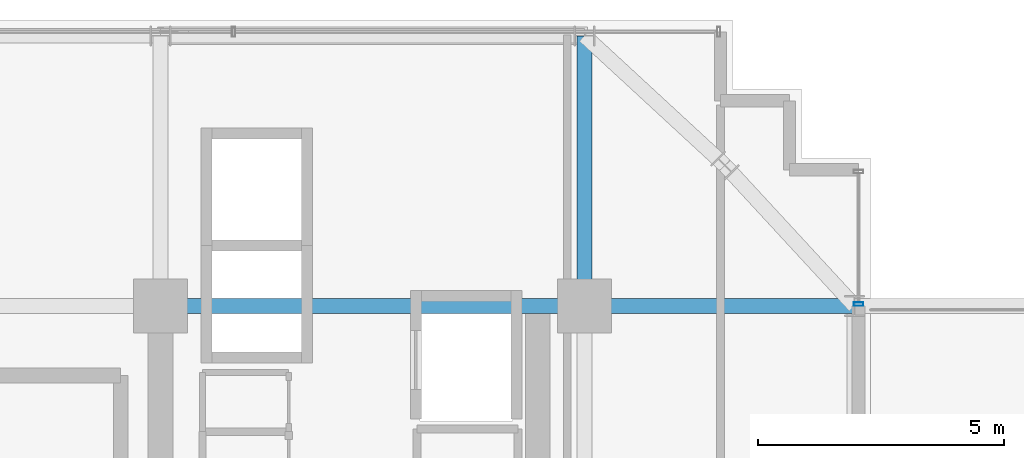
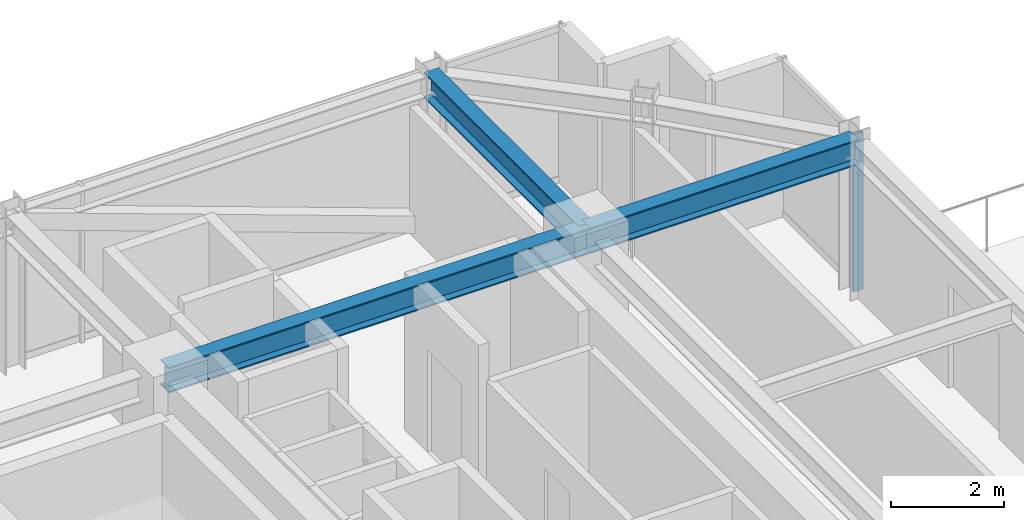
# One storey, part 27 of 38: 3 beams, 1 member, 1 element without a shape of its own.
"""IFC4 building model written with IfcOpenShell, lengths in metres."""

from ifc_helpers import new_model, si_unit, direction, frame, origin, origin_2d, place, context, subcontext, project, spatial, hollow_rectangle, i_section, extrude, source, transform, mapped, material, material_profile, profile_set, type_object, element, aggregate, save


model = new_model("IFC4")

# Units and contexts
model_context = context("Model", 3, precision=1e-05, world=origin(), true_north=direction((0.0, 1.0)))
body_context = subcontext(model_context, "Body", "Model", "MODEL_VIEW")
ifc_project = project(units=[si_unit("LENGTHUNIT", "METRE"), si_unit("AREAUNIT", "SQUARE_METRE"), si_unit("VOLUMEUNIT", "CUBIC_METRE"), si_unit("PLANEANGLEUNIT", "RADIAN"), si_unit("MASSUNIT", "GRAM", prefix="KILO")], contexts=[model_context])

# Site, building, storey
site_placement = place(None, origin())
site = spatial("IfcSite", under=ifc_project, at=site_placement, CompositionType="ELEMENT")
building_placement = place(site_placement, origin())
building = spatial("IfcBuilding", under=site, at=building_placement, Name="Nahalor Promenade Grand Hotel", CompositionType="ELEMENT")
storey_placement = place(building_placement, frame((0.0, 0.0, 178.199951171875)))
storey = spatial("IfcBuildingStorey", under=building, at=storey_placement, Name="L45", CompositionType="ELEMENT", Elevation=178.199951171875)

# Beams
ifc_material_1 = material(Name="Steel S355JR", Category="steel")
ifc_material_profile_1 = material_profile(ifc_material_1, i_section(OverallWidth=0.3, OverallDepth=0.55, WebThickness=0.015, FlangeThickness=0.029, at=origin_2d()), Name="HEB 550")
ifc_profile_set_1 = profile_set([ifc_material_profile_1], Name="Steel S355JR")
beam_type = type_object("IfcBeamType", Name="Beam-Girder-HEB550", PredefinedType="BEAM", material=ifc_profile_set_1)
shared_shape_1 = source(origin(), body_context, "Body", "SweptSolid", [
    extrude(i_section(OverallWidth=0.3, OverallDepth=0.55, WebThickness=0.015, FlangeThickness=0.029, at=origin_2d()), origin(), (0.0, 0.0, 1.0), 8.60009765625),
])
beam_placement = place(storey_placement, frame((8.39990234375, 17.0, 3.114990234375), z_axis=(1.0, 0.0, 0.0), x_axis=(0.0, 1.0, 0.0)))
element("IfcBeam", 1, at=beam_placement, inside=storey, type_object=beam_type, Name="BM-L45-GX-3-5", PredefinedType="BEAM", context=body_context, shape_type="MappedRepresentation", body=[
    mapped(shared_shape_1, transform((0.0, 0.0, 0.0), scale=1.0)),
])
shared_shape_2 = source(origin(), body_context, "Body", "SweptSolid", [
    extrude(i_section(OverallWidth=0.3, OverallDepth=0.55, WebThickness=0.015, FlangeThickness=0.029, at=origin_2d()), origin(), (0.0, 0.0, 1.0), 5.47998046875),
])
for number, where, z_axis, x_axis, name in (
    (2, (17.0, 17.0, 3.114990234375), (1.0, 0.0, 0.0), (0.0, 1.0, 0.0), "BM-L45-GX-3-6"),
    (3, (17.0, 17.0, 3.114990234375), (0.0, 1.0, 0.0), (-1.0, 0.0, 0.0), "BM-L45-GY-5-4"),
):
    element("IfcBeam", number, at=place(storey_placement, frame(where, z_axis=z_axis, x_axis=x_axis)), inside=storey, type_object=beam_type, Name=name, PredefinedType="BEAM", context=body_context, shape_type="MappedRepresentation", body=[
        mapped(shared_shape_2, transform((0.0, 0.0, 0.0), scale=1.0)),
    ])

# Curtain wall, member
ifc_material_2 = material(Name="Anodised Bronze Aluminium EN AW-6063 T6", Category="aluminium")
curtain_wall_type = type_object("IfcCurtainWallType", Name="CW3 Elliptical-Void Collar Unitised Curtain Wall", PredefinedType="USERDEFINED", material=ifc_material_2)
curtain_wall_placement = place(storey_placement, origin())
curtain_wall = element("IfcCurtainWall", 4, at=curtain_wall_placement, inside=storey, type_object=curtain_wall_type, Name="L45 Curtain Wall CW-L45-E-4", ObjectType="UNITISED_CURTAIN_WALL", PredefinedType="USERDEFINED")
ifc_material_profile_2 = material_profile(ifc_material_2, hollow_rectangle(XDim=0.07, YDim=0.2, WallThickness=0.005, at=origin_2d()), Name="CWM 70x200x5")
ifc_profile_set_2 = profile_set([ifc_material_profile_2], Name="Anodised Bronze Aluminium EN AW-6063 T6")
member_type = type_object("IfcMemberType", Name="CWM3 Void Collar Mullion 70x200", PredefinedType="MULLION", material=ifc_profile_set_2)
shared_shape_3 = source(origin(), body_context, "Body", "SweptSolid", [
    extrude(hollow_rectangle(XDim=0.07, YDim=0.2, WallThickness=0.005, at=origin_2d()), origin(), (0.0, 0.0, 1.0), 3.39013671875),
])
member_placement = place(storey_placement, frame((22.56005859375, 17.034912109375, 0.0), z_axis=(0.0, 0.0, 1.0), x_axis=(0.0, 1.0, 0.0)))
member = element("IfcMember", 5, at=member_placement, type_object=member_type, Name="CW-L45-E-4 Mullion 0", PredefinedType="MULLION", context=body_context, shape_type="MappedRepresentation", body=[
    mapped(shared_shape_3, transform((0.0, 0.0, 0.0), scale=1.0)),
])
aggregate(curtain_wall, [member])

save(model, "model.ifc")
